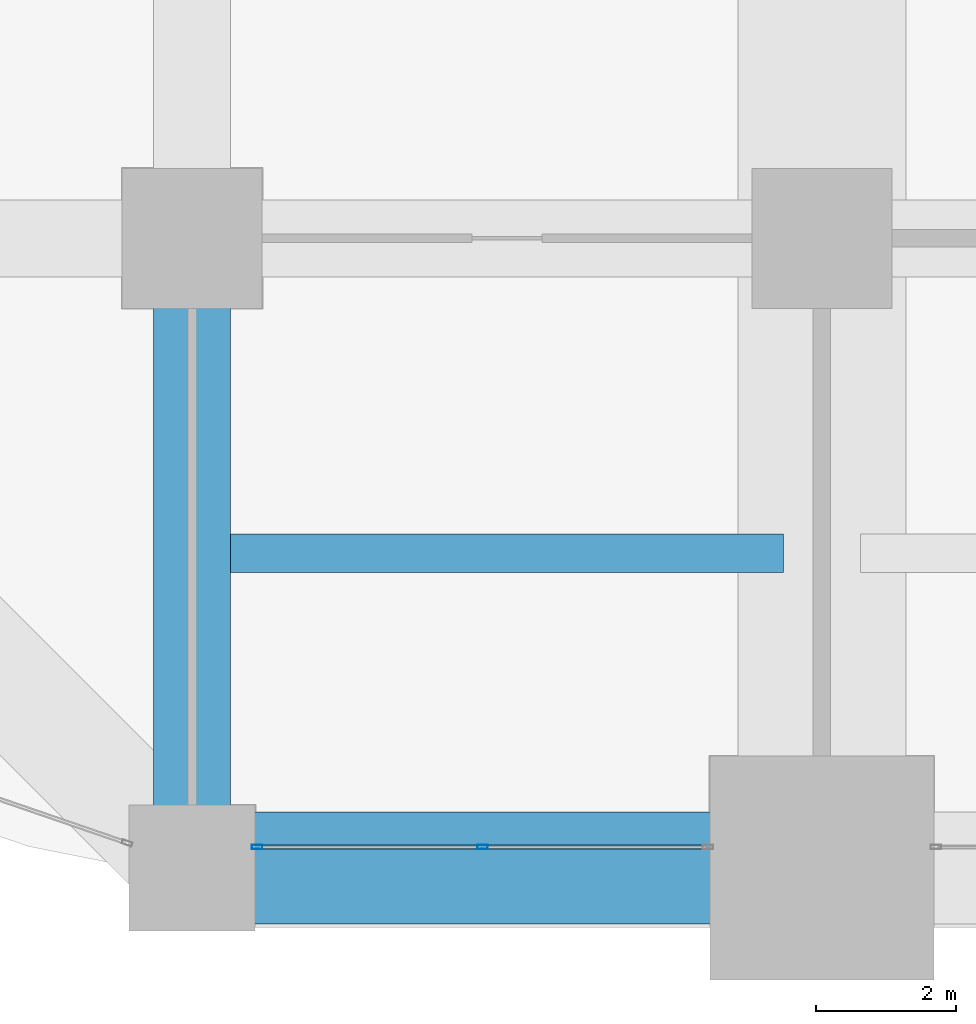
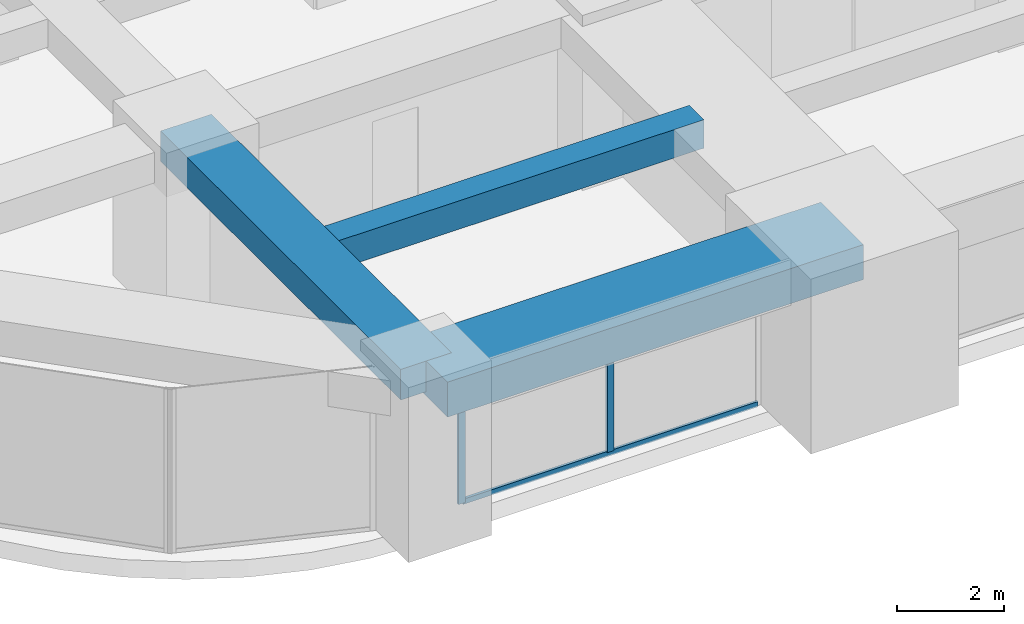
# One storey, part 3 of 35: 3 beams, 3 members, 1 element without a shape of its own.
"""IFC4 building model written with IfcOpenShell, lengths in metres."""

import ifcopenshell
import ifcopenshell.guid

model = None  # the IFC model being written
_history = None  # IfcOwnerHistory: only IFC2X3 demands one
_inside = {}  # id of a spatial element -> (the spatial element, [elements in it])
_under = {}  # id of a project, library or spatial element -> (it, [spatial elements below it])
_declared = {}  # id of a project -> (the project, [libraries it declares])
_typed = {}  # id of a type object -> (the type object, [elements of that type])
_made_of = {}  # id of a material, layer set ... -> (it, [elements and type objects made of it])


def new_model(schema):
    """Start an empty IFC model of exactly this schema.

    Asked for "IFC4X3", IfcOpenShell would pick the latest addendum, in which some entities
    have other attributes; the version numbers below select the first issue.
    IFC2X3 requires an IfcOwnerHistory on every rooted entity: one is made here for all.
    """
    global model, _history
    if schema == "IFC4X3":
        model = ifcopenshell.file(schema_version=(4, 3, 0, 0))
    else:
        model = ifcopenshell.file(schema=schema)
    _inside.clear()
    _under.clear()
    _declared.clear()
    _typed.clear()
    _made_of.clear()
    _history = None
    if model.schema == "IFC2X3":
        org = make("IfcOrganization", Name="unknown")
        user = make(
            "IfcPersonAndOrganization",
            ThePerson=make("IfcPerson", FamilyName="unknown"),
            TheOrganization=org,
        )
        app = make(
            "IfcApplication",
            ApplicationDeveloper=org,
            Version="unknown",
            ApplicationFullName="unknown",
            ApplicationIdentifier="unknown",
        )
        _history = make(
            "IfcOwnerHistory",
            OwningUser=user,
            OwningApplication=app,
            ChangeAction="ADDED",
            CreationDate=0,
        )
    return model


def make(cls, **values):
    """One entity of the class cls with the attributes given. An attribute that is None is left unset."""
    return model.create_entity(
        cls, **{name: value for name, value in values.items() if value is not None}
    )


def rooted(cls, **values):
    """An entity with a GlobalId (a new one), such as an element, a storey or a relation."""
    return make(cls, GlobalId=ifcopenshell.guid.new(), OwnerHistory=_history, **values)


def si_unit(unit_type, name, prefix=None):
    """IfcSIUnit, for example si_unit("LENGTHUNIT", "METRE", prefix="MILLI")."""
    return make("IfcSIUnit", UnitType=unit_type, Prefix=prefix, Name=name)


def assignment(units):
    """IfcUnitAssignment: the units of a project."""
    return None if units is None else make("IfcUnitAssignment", Units=units)


def point(xyz):
    """IfcCartesianPoint."""
    return None if xyz is None else make("IfcCartesianPoint", Coordinates=xyz)


def direction(xyz):
    """IfcDirection."""
    return None if xyz is None else make("IfcDirection", DirectionRatios=xyz)


def frame(location, z_axis=None, x_axis=None):
    """IfcAxis2Placement3D, a coordinate frame: its origin and axes. An axis left out is left unset."""
    return make(
        "IfcAxis2Placement3D",
        Location=point(location),
        Axis=direction(z_axis),
        RefDirection=direction(x_axis),
    )


def frame_2d(location, x_axis=None):
    """IfcAxis2Placement2D, a coordinate frame in the plane: its origin and x axis."""
    return make(
        "IfcAxis2Placement2D", Location=point(location), RefDirection=direction(x_axis)
    )


def origin():
    """The frame at (0, 0, 0) with its axes left unset."""
    return frame((0.0, 0.0, 0.0))


def origin_2d():
    """The frame at (0, 0) in the plane with its x axis left unset."""
    return frame_2d((0.0, 0.0))


def place(relative_to, where):
    """IfcLocalPlacement: puts the frame where relative to a parent placement (None: the world)."""
    return make(
        "IfcLocalPlacement", PlacementRelTo=relative_to, RelativePlacement=where
    )


def context(
    kind, dimensions, precision=None, world=None, true_north=None, identifier=None
):
    """IfcGeometricRepresentationContext, for example the 3D "Model" context."""
    return make(
        "IfcGeometricRepresentationContext",
        ContextIdentifier=identifier,
        ContextType=kind,
        CoordinateSpaceDimension=dimensions,
        Precision=precision,
        WorldCoordinateSystem=world,
        TrueNorth=true_north,
    )


def subcontext(parent, identifier, kind, view, scale=None):
    """IfcGeometricRepresentationSubContext, for example "Body" below "Model"."""
    return make(
        "IfcGeometricRepresentationSubContext",
        ContextIdentifier=identifier,
        ContextType=kind,
        ParentContext=parent,
        TargetScale=scale,
        TargetView=view,
    )


def project(units=None, contexts=None):
    """IfcProject with its units and contexts."""
    return rooted(
        "IfcProject",
        Name="project",
        RepresentationContexts=contexts,
        UnitsInContext=assignment(units),
    )


def spatial(cls, under=None, at=None, **own):
    """A site, building, storey or space (cls), placed at a placement, below another one or the project."""
    s = rooted(cls, ObjectPlacement=at, **own)
    if under is not None:
        _under.setdefault(under.id(), (under, []))[1].append(s)
    return s


def profile(cls, at=None, kind="AREA", **sizes):
    """A parametric profile (cls). Its sizes go by their IFC names, for example OverallWidth=200.0."""
    return make(cls, ProfileType=kind, Position=at, **sizes)


def rectangle(**sizes):
    """IfcRectangleProfileDef."""
    return profile("IfcRectangleProfileDef", **sizes)


def hollow_rectangle(**sizes):
    """IfcRectangleHollowProfileDef."""
    return profile("IfcRectangleHollowProfileDef", **sizes)


def extrude(swept, where, along, depth):
    """IfcExtrudedAreaSolid: the profile swept, set in the frame where, extruded along a direction by depth."""
    return make(
        "IfcExtrudedAreaSolid",
        SweptArea=swept,
        Position=where,
        ExtrudedDirection=direction(along),
        Depth=depth,
    )


def shape(context_of_items, identifier, shape_type, items):
    """IfcShapeRepresentation: the items that make up one representation, for example the "Body"."""
    return make(
        "IfcShapeRepresentation",
        ContextOfItems=context_of_items,
        RepresentationIdentifier=identifier,
        RepresentationType=shape_type,
        Items=items,
    )


def material(Name=None, Category=None):
    """IfcMaterial."""
    return make("IfcMaterial", Name=Name, Category=Category)


def material_profile(
    of_material, cross_section, Name=None, Category=None, Priority=None
):
    """IfcMaterialProfile: a cross section and its material."""
    return make(
        "IfcMaterialProfile",
        Name=Name,
        Material=of_material,
        Profile=cross_section,
        Priority=Priority,
        Category=Category,
    )


def profile_set(profiles, Name=None, composite=None):
    """IfcMaterialProfileSet."""
    return make(
        "IfcMaterialProfileSet",
        Name=Name,
        MaterialProfiles=profiles,
        CompositeProfile=composite,
    )


def made_of(thing, what):
    """Note that an element or type object is made of a material, layer set ...; save() writes the relation."""
    if what is not None:
        _made_of.setdefault(what.id(), (what, []))[1].append(thing)
    return thing


def type_object(cls, material=None, **own):
    """A type object (cls), such as IfcWallType, which elements share."""
    return made_of(rooted(cls, **own), material)


def element(
    cls,
    number,
    at=None,
    inside=None,
    cuts=None,
    type_object=None,
    material=None,
    context=None,
    identifier="Body",
    shape_type=None,
    held_by="IfcProductDefinitionShape",
    body=None,
    shapes=None,
    **own,
):
    """One element of the class cls, such as IfcWall. Its Tag is "e" and its number.

    at: its placement. inside: the storey or other place that contains it. cuts: it is an
    opening in that element (IfcRelVoidsElement). A single representation is given by context,
    identifier, shape_type and body (its items); several are given by shapes. held_by: the class
    of the entity that holds the representations. save() writes the other relations.
    """
    e = rooted(cls, Tag="e%d" % number, ObjectPlacement=at, **own)
    if body is not None:
        shapes = [shape(context, identifier, shape_type, body)]
    if shapes is not None:
        e.Representation = make(held_by, Representations=shapes)
    if inside is not None:
        _inside.setdefault(inside.id(), (inside, []))[1].append(e)
    if cuts is not None:
        rooted(
            "IfcRelVoidsElement", RelatingBuildingElement=cuts, RelatedOpeningElement=e
        )
    if type_object is not None:
        _typed.setdefault(type_object.id(), (type_object, []))[1].append(e)
    return made_of(e, material)


def aggregate(whole, parts):
    """IfcRelAggregates: a whole, such as a stair, and the parts it consists of."""
    return rooted("IfcRelAggregates", RelatingObject=whole, RelatedObjects=parts)


def save(model, path):
    """Write the relations noted so far, then the file.

    IfcRelAggregates (storeys below a building ...), IfcRelContainedInSpatialStructure (elements
    in a storey), IfcRelDefinesByType, IfcRelAssociatesMaterial and IfcRelDeclares: one each for
    every whole, place, type object, material and project.
    """
    for whole, parts in _under.values():
        aggregate(whole, parts)
    for where, things in _inside.values():
        rooted(
            "IfcRelContainedInSpatialStructure",
            RelatedElements=things,
            RelatingStructure=where,
        )
    for kind, things in _typed.values():
        rooted("IfcRelDefinesByType", RelatedObjects=things, RelatingType=kind)
    for what, things in _made_of.values():
        rooted("IfcRelAssociatesMaterial", RelatedObjects=things, RelatingMaterial=what)
    for by, libraries in _declared.values():
        rooted("IfcRelDeclares", RelatingContext=by, RelatedDefinitions=libraries)
    model.write(path)


model = new_model("IFC4")

# Units and contexts
model_context = context("Model", 3, precision=1e-05, world=origin(), true_north=direction((0.0, 1.0)))
body_context = subcontext(model_context, "Body", "Model", "MODEL_VIEW")
ifc_project = project(units=[si_unit("LENGTHUNIT", "METRE"), si_unit("AREAUNIT", "SQUARE_METRE"), si_unit("VOLUMEUNIT", "CUBIC_METRE"), si_unit("PLANEANGLEUNIT", "RADIAN"), si_unit("MASSUNIT", "GRAM", prefix="KILO")], contexts=[model_context])

# Site, building, storey
site_placement = place(None, origin())
site = spatial("IfcSite", under=ifc_project, at=site_placement, CompositionType="ELEMENT")
building_placement = place(site_placement, origin())
building = spatial("IfcBuilding", under=site, at=building_placement, Name="Zorevar Civic Tower", CompositionType="ELEMENT")
storey_placement = place(building_placement, frame((0.0, 0.0, 162.199951171875)))
storey = spatial("IfcBuildingStorey", under=building, at=storey_placement, Name="L39", CompositionType="ELEMENT", Elevation=162.199951171875)

# Beams
ifc_material_1 = material(Name="Concrete C50/60", Category="concrete")
ifc_material_profile_1 = material_profile(ifc_material_1, rectangle(XDim=1.10009765625, YDim=0.699951171875, at=origin_2d()), Name="RC 1100x700")
ifc_profile_set_1 = profile_set([ifc_material_profile_1], Name="Concrete C50/60")
beam_type_1 = type_object("IfcBeamType", Name="Beam RC 1100x700", PredefinedType="BEAM", material=ifc_profile_set_1)
beam_1_placement = place(storey_placement, frame((9.0, 0.0, 3.400146484375), z_axis=(0.0, 1.0, 0.0), x_axis=(-1.0, 0.0, 0.0)))
element("IfcBeam", 1, at=beam_1_placement, inside=storey, type_object=beam_type_1, Name="Girder L40", PredefinedType="BEAM", context=body_context, shape_type="SweptSolid", body=[
    extrude(rectangle(XDim=1.10009765625, YDim=0.699951171875, at=origin_2d()), origin(), (0.0, 0.0, 1.0), 9.0),
])
ifc_material_2 = material(Name="Concrete C50/60", Category="concrete")
ifc_material_profile_2 = material_profile(ifc_material_2, rectangle(XDim=0.550048828125, YDim=0.64990234375, at=origin_2d()), Name="RC 550x650")
ifc_profile_set_2 = profile_set([ifc_material_profile_2], Name="Concrete C50/60")
beam_type_2 = type_object("IfcBeamType", Name="Beam RC 550x650", PredefinedType="BEAM", material=ifc_profile_set_2)
beam_2_placement = place(storey_placement, frame((9.550048828125, 4.5, 3.425048828125), z_axis=(1.0, 0.0, 0.0), x_axis=(0.0, 1.0, 0.0)))
element("IfcBeam", 2, at=beam_2_placement, inside=storey, type_object=beam_type_2, Name="Secondary beam L40", PredefinedType="BEAM", context=body_context, shape_type="SweptSolid", body=[
    extrude(rectangle(XDim=0.550048828125, YDim=0.64990234375, at=origin_2d()), origin(), (0.0, 0.0, 1.0), 7.89990234375),
])

# Curtain wall, members
ifc_material_3 = material(Name="Dark grey solar-control glass in black aluminium frame", Category="aluminium")
curtain_wall_type = type_object("IfcCurtainWallType", Name="Curtain wall CW4 high zone", PredefinedType="NOTDEFINED", material=ifc_material_3)
curtain_wall_placement = place(storey_placement, origin())
curtain_wall = element("IfcCurtainWall", 3, at=curtain_wall_placement, inside=storey, type_object=curtain_wall_type, Name="CW4 L39", PredefinedType="NOTDEFINED")
ifc_material_4 = material(Name="Aluminium, black anodised", Category="aluminium")
ifc_material_profile_3 = material_profile(ifc_material_4, hollow_rectangle(XDim=0.06005859375, YDim=0.14990234375, WallThickness=0.00390625, at=origin_2d()), Name="AL 150x60x4")
ifc_profile_set_3 = profile_set([ifc_material_profile_3], Name="Aluminium, black anodised")
member_type_1 = type_object("IfcMemberType", Name="CW4 mullion AL 150x60x4", PredefinedType="MULLION", material=ifc_profile_set_3)
member_1_placement = place(storey_placement, frame((9.929931640625, 0.300048828125, 0.0), z_axis=(0.0, 0.0, 1.0), x_axis=(0.0, 1.0, 0.0)))
member_1 = element("IfcMember", 4, at=member_1_placement, type_object=member_type_1, Name="CW4 mullion 1", PredefinedType="MULLION", context=body_context, shape_type="SweptSolid", body=[
    extrude(hollow_rectangle(XDim=0.06005859375, YDim=0.14990234375, WallThickness=0.00390625, at=origin_2d()), origin(), (0.0, 0.0, 1.0), 2.949951171875),
])
member_2_placement = place(storey_placement, frame((13.14990234375, 0.300048828125, 0.06005859375), z_axis=(0.0, 0.0, 1.0), x_axis=(0.0, 1.0, 0.0)))
member_2 = element("IfcMember", 5, at=member_2_placement, type_object=member_type_1, Name="CW4 mullion 2", PredefinedType="MULLION", context=body_context, shape_type="SweptSolid", body=[
    extrude(hollow_rectangle(XDim=0.06005859375, YDim=0.14990234375, WallThickness=0.00390625, at=origin_2d()), origin(), (0.0, 0.0, 1.0), 2.889892578125),
])
ifc_material_5 = material(Name="Aluminium, black anodised", Category="aluminium")
ifc_material_profile_4 = material_profile(ifc_material_5, hollow_rectangle(XDim=0.06005859375, YDim=0.1201171875, WallThickness=0.0029296875, at=origin_2d()), Name="AL 120x60x3")
ifc_profile_set_4 = profile_set([ifc_material_profile_4], Name="Aluminium, black anodised")
member_type_2 = type_object("IfcMemberType", Name="CW4 transom AL 120x60x3", PredefinedType="USERDEFINED", material=ifc_profile_set_4)
member_3_placement = place(storey_placement, frame((9.9599609375, 0.300048828125, 0.030029296875), z_axis=(1.0, 0.0, 0.0), x_axis=(0.0, 1.0, 0.0)))
member_3 = element("IfcMember", 6, at=member_3_placement, type_object=member_type_2, Name="CW4 sill transom", ObjectType="TRANSOM", PredefinedType="USERDEFINED", context=body_context, shape_type="SweptSolid", body=[
    extrude(hollow_rectangle(XDim=0.06005859375, YDim=0.1201171875, WallThickness=0.0029296875, at=origin_2d()), origin(), (0.0, 0.0, 1.0), 6.380126953125),
])
aggregate(curtain_wall, [member_1, member_2, member_3])

# Beam
ifc_material_6 = material(Name="Concrete C50/60", Category="concrete")
ifc_material_profile_5 = material_profile(ifc_material_6, rectangle(XDim=1.60009765625, YDim=0.800048828125, at=origin_2d()), Name="RC 1600x800")
ifc_profile_set_5 = profile_set([ifc_material_profile_5], Name="Concrete C50/60")
beam_type_3 = type_object("IfcBeamType", Name="Edge beam RC 1600x800", PredefinedType="SPANDREL", material=ifc_profile_set_5)
beam_3_placement = place(storey_placement, frame((9.0, 0.0, 3.35009765625), z_axis=(1.0, 0.0, 0.0), x_axis=(0.0, 1.0, 0.0)))
element("IfcBeam", 7, at=beam_3_placement, inside=storey, type_object=beam_type_3, Name="Edge beam L40", PredefinedType="SPANDREL", context=body_context, shape_type="SweptSolid", body=[
    extrude(rectangle(XDim=1.60009765625, YDim=0.800048828125, at=origin_2d()), origin(), (0.0, 0.0, 1.0), 9.0),
])

save(model, "model.ifc")
